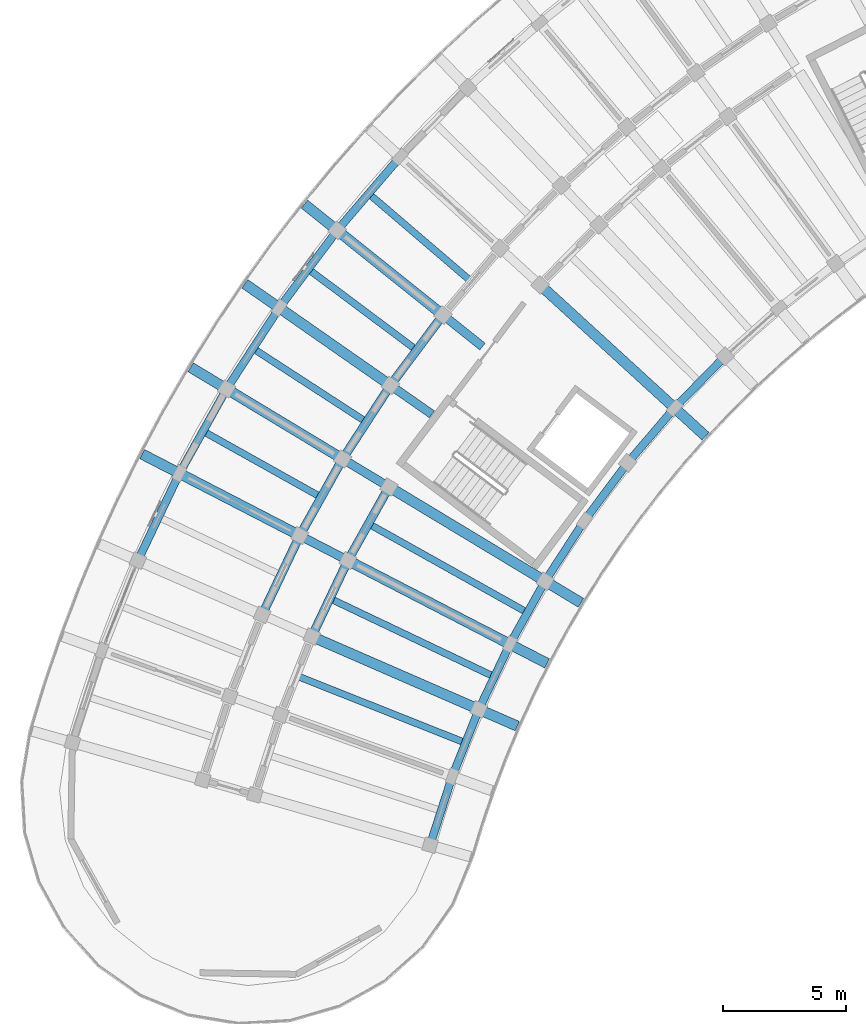
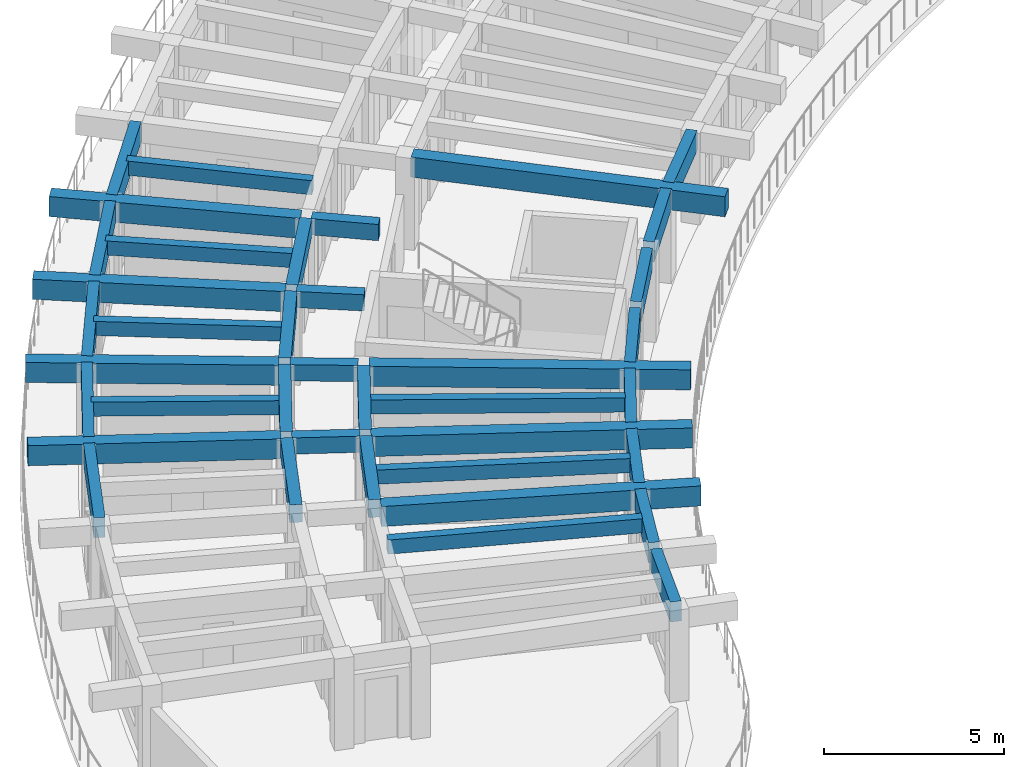
# One storey, part 10 of 81: 38 beams.
"""IFC4 building model written with IfcOpenShell, lengths in metres."""

from ifc_helpers import new_model, si_unit, direction, frame, origin, origin_2d, place, context, subcontext, project, spatial, rectangle, extrude, material, material_profile, profile_set, type_object, element, save


model = new_model("IFC4")

# Units and contexts
model_context = context("Model", 3, precision=1e-05, world=origin(), true_north=direction((0.0, 1.0)))
body_context = subcontext(model_context, "Body", "Model", "MODEL_VIEW")
ifc_project = project(units=[si_unit("LENGTHUNIT", "METRE"), si_unit("AREAUNIT", "SQUARE_METRE"), si_unit("VOLUMEUNIT", "CUBIC_METRE"), si_unit("PLANEANGLEUNIT", "RADIAN"), si_unit("MASSUNIT", "GRAM", prefix="KILO")], contexts=[model_context])

# Site, building, storey
site_placement = place(None, origin())
site = spatial("IfcSite", under=ifc_project, at=site_placement, CompositionType="ELEMENT")
building_placement = place(site_placement, origin())
building = spatial("IfcBuilding", under=site, at=building_placement, Name="Tanwirah Colonnade Gardens", CompositionType="ELEMENT")
storey_placement = place(building_placement, frame((0.0, 0.0, 18.919921875)))
storey = spatial("IfcBuildingStorey", under=building, at=storey_placement, Name="L05", CompositionType="ELEMENT", Elevation=18.919921875)

# Beams
ifc_material_1 = material(Name="Precast concrete C40/50", Category="concrete")
ifc_material_profile_1 = material_profile(ifc_material_1, rectangle(XDim=0.35009765625, YDim=0.550048828125, at=origin_2d()), Name="PC-BM 350x550")
ifc_profile_set_1 = profile_set([ifc_material_profile_1], Name="Precast concrete C40/50")
beam_type_1 = type_object("IfcBeamType", Name="BM-PC350A", PredefinedType="BEAM", material=ifc_profile_set_1)
for number, where, z_axis, x_axis, name in (
    (1, (24.398681640625, 92.68896484375, 2.8349609375), (-0.78073089418, 0.624867402633, 0.0), (-0.624867402633, -0.78073089418, 0.0), "Block A L05 Corridor Tie Beam 12"),
    (2, (22.346435546875, 89.943359375, 2.8349609375), (-0.820305001782, 0.571926309983, 0.0), (-0.571926309983, -0.820305001782, 0.0), "Block A L05 Corridor Tie Beam 13"),
    (3, (20.479248046875, 87.068359375, 2.8349609375), (-0.856174920318, 0.516686080534, 0.0), (-0.516686080534, -0.856174920318, 0.0), "Block A L05 Corridor Tie Beam 14"),
    (4, (18.8056640625, 84.07666015625, 2.8349609375), (-0.888358643941, 0.459150214784, 0.0), (-0.459150214784, -0.888358643941, 0.0), "Block A L05 Corridor Tie Beam 15"),
):
    element("IfcBeam", number, at=place(storey_placement, frame(where, z_axis=z_axis, x_axis=x_axis)), inside=storey, type_object=beam_type_1, Name=name, PredefinedType="BEAM", context=body_context, shape_type="SweptSolid", body=[
        extrude(rectangle(XDim=0.35009765625, YDim=0.550048828125, at=origin_2d()), origin(), (0.0, 0.0, 1.0), 1.89990234375),
    ])
ifc_material_profile_2 = material_profile(ifc_material_1, rectangle(XDim=0.35009765625, YDim=0.60009765625, at=origin_2d()), Name="PC-BM 350x600")
ifc_profile_set_2 = profile_set([ifc_material_profile_2], Name="Precast concrete C40/50")
beam_type_2 = type_object("IfcBeamType", Name="BM-PC350B", PredefinedType="BEAM", material=ifc_profile_set_2)
for number, where, z_axis, x_axis, name in (
    (5, (22.708251953125, 93.849609375, 2.81005859375), (-0.59871829396, -0.800959677186, 0.0), (0.800959677186, -0.59871829396, 0.0), "Block A L05 Circumferential Beam 12-R2"),
    (6, (20.5830078125, 90.989990234375, 2.81005859375), (-0.544627998385, -0.838677735114, 0.0), (0.838677735114, -0.544627998385, 0.0), "Block A L05 Circumferential Beam 13-R2"),
):
    element("IfcBeam", number, at=place(storey_placement, frame(where, z_axis=z_axis, x_axis=x_axis)), inside=storey, type_object=beam_type_2, Name=name, PredefinedType="BEAM", context=body_context, shape_type="SweptSolid", body=[
        extrude(rectangle(XDim=0.35009765625, YDim=0.60009765625, at=origin_2d()), origin(), (0.0, 0.0, 1.0), 3.262939453125),
    ])
beam_1_placement = place(storey_placement, frame((20.534423828125, 86.85986328125, 2.81005859375), z_axis=(-0.488200372352, -0.872731571811, 0.0), x_axis=(0.872731571811, -0.488200372352, 0.0)))
element("IfcBeam", 7, at=beam_1_placement, inside=storey, type_object=beam_type_2, Name="Block A L05 Circumferential Beam 14-R1", PredefinedType="BEAM", context=body_context, shape_type="SweptSolid", body=[
    extrude(rectangle(XDim=0.35009765625, YDim=0.60009765625, at=origin_2d()), origin(), (0.0, 0.0, 1.0), 3.117919921875),
])
beam_2_placement = place(storey_placement, frame((18.65087890625, 87.99658203125, 2.81005859375), z_axis=(-0.488213717102, -0.87272410671, 0.0), x_axis=(0.87272410671, -0.488213717102, 0.0)))
element("IfcBeam", 8, at=beam_2_placement, inside=storey, type_object=beam_type_2, Name="Block A L05 Circumferential Beam 14-R2", PredefinedType="BEAM", context=body_context, shape_type="SweptSolid", body=[
    extrude(rectangle(XDim=0.35009765625, YDim=0.60009765625, at=origin_2d()), origin(), (0.0, 0.0, 1.0), 3.262939453125),
])
beam_3_placement = place(storey_placement, frame((18.87451171875, 83.872314453125, 2.81005859375), z_axis=(-0.429620507728, -0.903009534468, 0.0), x_axis=(0.903009534468, -0.429620507728, 0.0)))
element("IfcBeam", 9, at=beam_3_placement, inside=storey, type_object=beam_type_2, Name="Block A L05 Circumferential Beam 15-R1", PredefinedType="BEAM", context=body_context, shape_type="SweptSolid", body=[
    extrude(rectangle(XDim=0.35009765625, YDim=0.60009765625, at=origin_2d()), origin(), (0.0, 0.0, 1.0), 3.1181640625),
])
beam_4_placement = place(storey_placement, frame((16.920166015625, 84.882568359375, 2.81005859375), z_axis=(-0.4295908638, -0.90302363742, 0.0), x_axis=(0.90302363742, -0.4295908638, 0.0)))
element("IfcBeam", 10, at=beam_4_placement, inside=storey, type_object=beam_type_2, Name="Block A L05 Circumferential Beam 15-R2", PredefinedType="BEAM", context=body_context, shape_type="SweptSolid", body=[
    extrude(rectangle(XDim=0.35009765625, YDim=0.60009765625, at=origin_2d()), origin(), (0.0, 0.0, 1.0), 3.26318359375),
])
ifc_material_2 = material(Name="Precast concrete C45/55", Category="concrete")
ifc_material_profile_3 = material_profile(ifc_material_2, rectangle(XDim=0.419921875, YDim=0.679931640625, at=origin_2d()), Name="PC-BM 420x680")
ifc_profile_set_3 = profile_set([ifc_material_profile_3], Name="Precast concrete C45/55")
beam_type_3 = type_object("IfcBeamType", Name="BM-PC420", PredefinedType="BEAM", material=ifc_profile_set_3)
beam_5_placement = place(storey_placement, frame((26.848876953125, 95.091064453125, 2.77001953125), z_axis=(0.737937205818, -0.674869380154, 0.0), x_axis=(0.674869380154, 0.737937205818, 0.0)))
element("IfcBeam", 11, at=beam_5_placement, inside=storey, type_object=beam_type_3, Name="Block A L05 Inner Radial Precast Girder 11", PredefinedType="BEAM", context=body_context, shape_type="SweptSolid", body=[
    extrude(rectangle(XDim=0.419921875, YDim=0.679931640625, at=origin_2d()), origin(), (0.0, 0.0, 1.0), 8.949951171875),
])
for number, where, z_axis, x_axis, name in (
    (12, (22.680908203125, 94.0634765625, 2.77001953125), (-0.780794476885, 0.624787951921, 0.0), (-0.624787951921, -0.780794476885, 0.0), "Block A L05 Outer Radial Precast Girder 12"),
    (13, (20.541748046875, 91.20166015625, 2.77001953125), (-0.820270158139, 0.571976282433, 0.0), (-0.571976282433, -0.820270158139, 0.0), "Block A L05 Outer Radial Precast Girder 13"),
):
    element("IfcBeam", number, at=place(storey_placement, frame(where, z_axis=z_axis, x_axis=x_axis)), inside=storey, type_object=beam_type_3, Name=name, PredefinedType="BEAM", context=body_context, shape_type="SweptSolid", body=[
        extrude(rectangle(XDim=0.419921875, YDim=0.679931640625, at=origin_2d()), origin(), (0.0, 0.0, 1.0), 7.050048828125),
    ])
beam_6_placement = place(storey_placement, frame((20.736083984375, 86.913330078125, 2.77001953125), z_axis=(0.856168728297, -0.516696340887, 0.0), x_axis=(0.516696340887, 0.856168728297, 0.0)))
element("IfcBeam", 14, at=beam_6_placement, inside=storey, type_object=beam_type_3, Name="Block A L05 Inner Radial Precast Girder 14", PredefinedType="BEAM", context=body_context, shape_type="SweptSolid", body=[
    extrude(rectangle(XDim=0.419921875, YDim=0.679931640625, at=origin_2d()), origin(), (0.0, 0.0, 1.0), 8.9501953125),
])
beam_7_placement = place(storey_placement, frame((18.595703125, 88.205078125, 2.77001953125), z_axis=(-0.856157813984, 0.516714425533, 0.0), x_axis=(-0.516714425533, -0.856157813984, 0.0)))
element("IfcBeam", 15, at=beam_7_placement, inside=storey, type_object=beam_type_3, Name="Block A L05 Outer Radial Precast Girder 14", PredefinedType="BEAM", context=body_context, shape_type="SweptSolid", body=[
    extrude(rectangle(XDim=0.419921875, YDim=0.679931640625, at=origin_2d()), origin(), (0.0, 0.0, 1.0), 7.050048828125),
])
beam_8_placement = place(storey_placement, frame((19.072265625, 83.93896484375, 2.77001953125), z_axis=(0.888345427876, -0.459175784175, 0.0), x_axis=(0.459175784175, 0.888345427876, 0.0)))
element("IfcBeam", 16, at=beam_8_placement, inside=storey, type_object=beam_type_3, Name="Block A L05 Inner Radial Precast Girder 15", PredefinedType="BEAM", context=body_context, shape_type="SweptSolid", body=[
    extrude(rectangle(XDim=0.419921875, YDim=0.679931640625, at=origin_2d()), origin(), (0.0, 0.0, 1.0), 8.949951171875),
])
beam_9_placement = place(storey_placement, frame((16.851318359375, 85.0869140625, 2.77001953125), z_axis=(-0.888348690665, 0.459169471758, 0.0), x_axis=(-0.459169471758, -0.888348690665, 0.0)))
element("IfcBeam", 17, at=beam_9_placement, inside=storey, type_object=beam_type_3, Name="Block A L05 Outer Radial Precast Girder 15", PredefinedType="BEAM", context=body_context, shape_type="SweptSolid", body=[
    extrude(rectangle(XDim=0.419921875, YDim=0.679931640625, at=origin_2d()), origin(), (0.0, 0.0, 1.0), 7.0498046875),
])
beam_10_placement = place(storey_placement, frame((17.60791015625, 80.861328125, 2.77001953125), z_axis=(0.916669317869, -0.399646545934, 0.0), x_axis=(0.399646545934, 0.916669317869, 0.0)))
element("IfcBeam", 18, at=beam_10_placement, inside=storey, type_object=beam_type_3, Name="Block A L05 Inner Radial Precast Girder 16", PredefinedType="BEAM", context=body_context, shape_type="SweptSolid", body=[
    extrude(rectangle(XDim=0.419921875, YDim=0.679931640625, at=origin_2d()), origin(), (0.0, 0.0, 1.0), 8.9501953125),
])
ifc_material_profile_4 = material_profile(ifc_material_1, rectangle(XDim=0.280029296875, YDim=0.47998046875, at=origin_2d()), Name="PC-JST 280x480")
ifc_profile_set_4 = profile_set([ifc_material_profile_4], Name="Precast concrete C40/50")
beam_type_4 = type_object("IfcBeamType", Name="JST-PC280", PredefinedType="JOIST", material=ifc_profile_set_4)
beam_11_placement = place(storey_placement, frame((23.843017578125, 95.42041015625, 2.8701171875), z_axis=(-0.759770723643, 0.65019108537, 0.0), x_axis=(-0.65019108537, -0.759770723643, 0.0)))
element("IfcBeam", 19, at=beam_11_placement, inside=storey, type_object=beam_type_4, Name="Block A L05 Precast Floor Joist 11", PredefinedType="JOIST", context=body_context, shape_type="SweptSolid", body=[
    extrude(rectangle(XDim=0.280029296875, YDim=0.47998046875, at=origin_2d()), origin(), (0.0, 0.0, 1.0), 5.26025390625),
])
beam_12_placement = place(storey_placement, frame((21.61181640625, 92.63232421875, 2.8701171875), z_axis=(-0.800973647215, 0.598699604533, 0.0), x_axis=(-0.598699604533, -0.800973647215, 0.0)))
element("IfcBeam", 20, at=beam_12_placement, inside=storey, type_object=beam_type_4, Name="Block A L05 Precast Floor Joist 12", PredefinedType="JOIST", context=body_context, shape_type="SweptSolid", body=[
    extrude(rectangle(XDim=0.280029296875, YDim=0.47998046875, at=origin_2d()), origin(), (0.0, 0.0, 1.0), 5.260009765625),
])
beam_13_placement = place(storey_placement, frame((19.5693359375, 89.703125, 2.8701171875), z_axis=(-0.83868742622, 0.544613074669, 0.0), x_axis=(-0.544613074669, -0.83868742622, 0.0)))
element("IfcBeam", 21, at=beam_13_placement, inside=storey, type_object=beam_type_4, Name="Block A L05 Precast Floor Joist 13", PredefinedType="JOIST", context=body_context, shape_type="SweptSolid", body=[
    extrude(rectangle(XDim=0.280029296875, YDim=0.47998046875, at=origin_2d()), origin(), (0.0, 0.0, 1.0), 5.26025390625),
])
beam_14_placement = place(storey_placement, frame((17.72412109375, 86.645751953125, 2.8701171875), z_axis=(-0.872737031138, 0.488190612855, 0.0), x_axis=(-0.488190612855, -0.872737031138, 0.0)))
element("IfcBeam", 22, at=beam_14_placement, inside=storey, type_object=beam_type_4, Name="Block A L05 Precast Floor Joist 14", PredefinedType="JOIST", context=body_context, shape_type="SweptSolid", body=[
    extrude(rectangle(XDim=0.280029296875, YDim=0.47998046875, at=origin_2d()), origin(), (0.0, 0.0, 1.0), 5.260009765625),
])
for number, where, z_axis, x_axis, name in (
    (23, (26.102294921875, 81.958984375, 2.8701171875), (-0.872726875563, 0.488208767506, 0.0), (-0.488208767506, -0.872726875563, 0.0), "Block A L05 Inner Precast Floor Joist 14"),
    (24, (24.753173828125, 79.348876953125, 2.8701171875), (-0.903005429363, 0.429629136048, 0.0), (-0.429629136048, -0.903005429363, 0.0), "Block A L05 Inner Precast Floor Joist 15"),
):
    element("IfcBeam", number, at=place(storey_placement, frame(where, z_axis=z_axis, x_axis=x_axis)), inside=storey, type_object=beam_type_4, Name=name, PredefinedType="JOIST", context=body_context, shape_type="SweptSolid", body=[
        extrude(rectangle(XDim=0.280029296875, YDim=0.47998046875, at=origin_2d()), origin(), (0.0, 0.0, 1.0), 7.16015625),
    ])
beam_15_placement = place(storey_placement, frame((23.578857421875, 76.655517578125, 2.8701171875), z_axis=(-0.929344232768, 0.369214432303, 0.0), x_axis=(-0.369214432303, -0.929344232768, 0.0)))
element("IfcBeam", 25, at=beam_15_placement, inside=storey, type_object=beam_type_4, Name="Block A L05 Inner Precast Floor Joist 16", PredefinedType="JOIST", context=body_context, shape_type="SweptSolid", body=[
    extrude(rectangle(XDim=0.280029296875, YDim=0.47998046875, at=origin_2d()), origin(), (0.0, 0.0, 1.0), 7.159912109375),
])
ifc_material_profile_5 = material_profile(ifc_material_2, rectangle(XDim=0.320068359375, YDim=0.679931640625, at=origin_2d()), Name="PC-SP 320x680")
ifc_profile_set_5 = profile_set([ifc_material_profile_5], Name="Precast concrete C45/55")
beam_type_5 = type_object("IfcBeamType", Name="SP-PC320", PredefinedType="SPANDREL", material=ifc_profile_set_5)
beam_16_placement = place(storey_placement, frame((34.141845703125, 92.186767578125, 2.77001953125), z_axis=(-0.698844462704, -0.715273665772, 0.0), x_axis=(0.715273665772, -0.698844462704, 0.0)))
element("IfcBeam", 26, at=beam_16_placement, inside=storey, type_object=beam_type_5, Name="Block A L05 Circumferential Beam 10-R0", PredefinedType="SPANDREL", context=body_context, shape_type="SweptSolid", body=[
    extrude(rectangle(XDim=0.320068359375, YDim=0.679931640625, at=origin_2d()), origin(), (0.0, 0.0, 1.0), 2.630126953125),
])
beam_17_placement = place(storey_placement, frame((32.101318359375, 90.084228515625, 2.77001953125), z_axis=(-0.650172023628, -0.759787035749, 0.0), x_axis=(0.759787035749, -0.650172023628, 0.0)))
element("IfcBeam", 27, at=beam_17_placement, inside=storey, type_object=beam_type_5, Name="Block A L05 Circumferential Beam 11-R0", PredefinedType="SPANDREL", context=body_context, shape_type="SweptSolid", body=[
    extrude(rectangle(XDim=0.320068359375, YDim=0.679931640625, at=origin_2d()), origin(), (0.0, 0.0, 1.0), 2.63037109375),
])
beam_18_placement = place(storey_placement, frame((20.95849609375, 100.27490234375, 2.77001953125), z_axis=(-0.65013123267, -0.75982193987, 0.0), x_axis=(0.75982193987, -0.65013123267, 0.0)))
element("IfcBeam", 28, at=beam_18_placement, inside=storey, type_object=beam_type_5, Name="Block A L05 Circumferential Beam 11-R3", PredefinedType="SPANDREL", context=body_context, shape_type="SweptSolid", body=[
    extrude(rectangle(XDim=0.320068359375, YDim=0.679931640625, at=origin_2d()), origin(), (0.0, 0.0, 1.0), 3.625732421875),
])
beam_19_placement = place(storey_placement, frame((30.203857421875, 87.851806640625, 2.77001953125), z_axis=(-0.598662613551, -0.80100129534, 0.0), x_axis=(0.80100129534, -0.598662613551, 0.0)))
element("IfcBeam", 29, at=beam_19_placement, inside=storey, type_object=beam_type_5, Name="Block A L05 Circumferential Beam 12-R0", PredefinedType="SPANDREL", context=body_context, shape_type="SweptSolid", body=[
    extrude(rectangle(XDim=0.320068359375, YDim=0.679931640625, at=origin_2d()), origin(), (0.0, 0.0, 1.0), 2.63037109375),
])
beam_20_placement = place(storey_placement, frame((18.413818359375, 97.285888671875, 2.77001953125), z_axis=(-0.598695554058, -0.800976674786, 0.0), x_axis=(0.800976674786, -0.598695554058, 0.0)))
element("IfcBeam", 30, at=beam_20_placement, inside=storey, type_object=beam_type_5, Name="Block A L05 Circumferential Beam 12-R3", PredefinedType="SPANDREL", context=body_context, shape_type="SweptSolid", body=[
    extrude(rectangle(XDim=0.320068359375, YDim=0.679931640625, at=origin_2d()), origin(), (0.0, 0.0, 1.0), 3.625732421875),
])
beam_21_placement = place(storey_placement, frame((28.45751953125, 85.4990234375, 2.77001953125), z_axis=(-0.544570677829, -0.838714955661, 0.0), x_axis=(0.838714955661, -0.544570677829, 0.0)))
element("IfcBeam", 31, at=beam_21_placement, inside=storey, type_object=beam_type_5, Name="Block A L05 Circumferential Beam 13-R0", PredefinedType="SPANDREL", context=body_context, shape_type="SweptSolid", body=[
    extrude(rectangle(XDim=0.320068359375, YDim=0.679931640625, at=origin_2d()), origin(), (0.0, 0.0, 1.0), 2.63037109375),
])
beam_22_placement = place(storey_placement, frame((16.071533203125, 94.135986328125, 2.77001953125), z_axis=(-0.544621436184, -0.838681996497, 0.0), x_axis=(0.838681996497, -0.544621436184, 0.0)))
element("IfcBeam", 32, at=beam_22_placement, inside=storey, type_object=beam_type_5, Name="Block A L05 Circumferential Beam 13-R3", PredefinedType="SPANDREL", context=body_context, shape_type="SweptSolid", body=[
    extrude(rectangle(XDim=0.320068359375, YDim=0.679931640625, at=origin_2d()), origin(), (0.0, 0.0, 1.0), 3.625732421875),
])
beam_23_placement = place(storey_placement, frame((26.8701171875, 83.036376953125, 2.77001953125), z_axis=(-0.488170837957, -0.872748092503, 0.0), x_axis=(0.872748092503, -0.488170837957, 0.0)))
element("IfcBeam", 33, at=beam_23_placement, inside=storey, type_object=beam_type_5, Name="Block A L05 Circumferential Beam 14-R0", PredefinedType="SPANDREL", context=body_context, shape_type="SweptSolid", body=[
    extrude(rectangle(XDim=0.320068359375, YDim=0.679931640625, at=origin_2d()), origin(), (0.0, 0.0, 1.0), 2.630126953125),
])
beam_24_placement = place(storey_placement, frame((13.942138671875, 90.838623046875, 2.77001953125), z_axis=(-0.488236312193, -0.872711466326, 0.0), x_axis=(0.872711466326, -0.488236312193, 0.0)))
element("IfcBeam", 34, at=beam_24_placement, inside=storey, type_object=beam_type_5, Name="Block A L05 Circumferential Beam 14-R3", PredefinedType="SPANDREL", context=body_context, shape_type="SweptSolid", body=[
    extrude(rectangle(XDim=0.320068359375, YDim=0.679931640625, at=origin_2d()), origin(), (0.0, 0.0, 1.0), 3.625732421875),
])
beam_25_placement = place(storey_placement, frame((25.448486328125, 80.474609375, 2.77001953125), z_axis=(-0.42964173036, -0.902999437172, 0.0), x_axis=(0.902999437172, -0.42964173036, 0.0)))
element("IfcBeam", 35, at=beam_25_placement, inside=storey, type_object=beam_type_5, Name="Block A L05 Circumferential Beam 15-R0", PredefinedType="SPANDREL", context=body_context, shape_type="SweptSolid", body=[
    extrude(rectangle(XDim=0.320068359375, YDim=0.679931640625, at=origin_2d()), origin(), (0.0, 0.0, 1.0), 2.63037109375),
])
beam_26_placement = place(storey_placement, frame((12.0341796875, 87.407958984375, 2.77001953125), z_axis=(-0.429593766142, -0.903022256698, 0.0), x_axis=(0.903022256698, -0.429593766142, 0.0)))
element("IfcBeam", 36, at=beam_26_placement, inside=storey, type_object=beam_type_5, Name="Block A L05 Circumferential Beam 15-R3", PredefinedType="SPANDREL", context=body_context, shape_type="SweptSolid", body=[
    extrude(rectangle(XDim=0.320068359375, YDim=0.679931640625, at=origin_2d()), origin(), (0.0, 0.0, 1.0), 3.625732421875),
])
beam_27_placement = place(storey_placement, frame((24.198486328125, 77.824462890625, 2.77001953125), z_axis=(-0.369245181709, -0.929332015904, 0.0), x_axis=(0.929332015904, -0.369245181709, 0.0)))
element("IfcBeam", 37, at=beam_27_placement, inside=storey, type_object=beam_type_5, Name="Block A L05 Circumferential Beam 16-R0", PredefinedType="SPANDREL", context=body_context, shape_type="SweptSolid", body=[
    extrude(rectangle(XDim=0.320068359375, YDim=0.679931640625, at=origin_2d()), origin(), (0.0, 0.0, 1.0), 2.630126953125),
])
beam_28_placement = place(storey_placement, frame((23.1259765625, 75.097900390625, 2.77001953125), z_axis=(-0.307219720817, -0.951638609526, 0.0), x_axis=(0.951638609526, -0.307219720817, 0.0)))
element("IfcBeam", 38, at=beam_28_placement, inside=storey, type_object=beam_type_5, Name="Block A L05 Circumferential Beam 17-R0", PredefinedType="SPANDREL", context=body_context, shape_type="SweptSolid", body=[
    extrude(rectangle(XDim=0.320068359375, YDim=0.679931640625, at=origin_2d()), origin(), (0.0, 0.0, 1.0), 2.63037109375),
])

save(model, "model.ifc")
